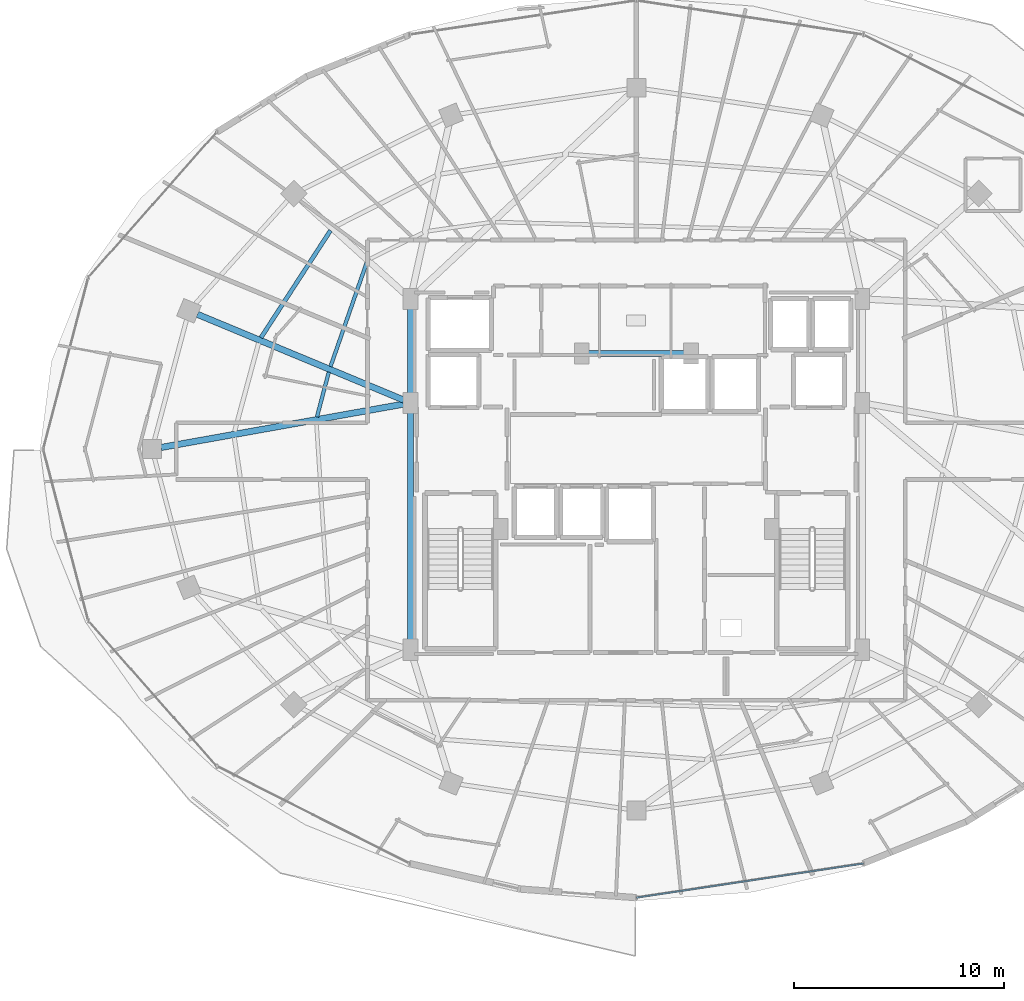
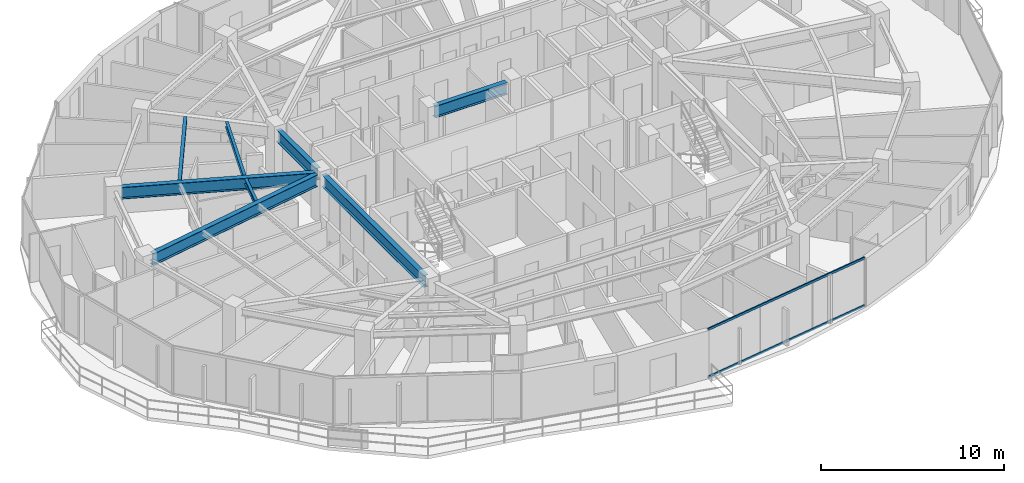
# One storey, part 10 of 33: 8 beams, 2 members, 1 element without a shape of its own.
"""IFC4 building model written with IfcOpenShell, lengths in metres."""

from ifc_helpers import new_model, si_unit, direction, frame, origin, origin_2d, place, context, subcontext, project, spatial, hollow_rectangle, i_section, extrude, material, material_profile, profile_set, type_object, element, aggregate, save


model = new_model("IFC4")

# Units and contexts
model_context = context("Model", 3, precision=1e-05, world=origin(), true_north=direction((0.0, 1.0)))
body_context = subcontext(model_context, "Body", "Model", "MODEL_VIEW")
ifc_project = project(units=[si_unit("LENGTHUNIT", "METRE"), si_unit("AREAUNIT", "SQUARE_METRE"), si_unit("VOLUMEUNIT", "CUBIC_METRE"), si_unit("PLANEANGLEUNIT", "RADIAN"), si_unit("MASSUNIT", "GRAM", prefix="KILO")], contexts=[model_context])

# Site, building, storey
site_placement = place(None, origin())
site = spatial("IfcSite", under=ifc_project, at=site_placement, CompositionType="ELEMENT")
building_placement = place(site_placement, origin())
building = spatial("IfcBuilding", under=site, at=building_placement, Name="Vorneva Point Tower", CompositionType="ELEMENT")
storey_placement = place(building_placement, frame((0.0, 0.0, 221.39990234375)))
storey = spatial("IfcBuildingStorey", under=building, at=storey_placement, Name="L60", CompositionType="ELEMENT", Elevation=221.39990234375)

# Beams
ifc_material_1 = material(Name="Steel S355", Category="steel")
ifc_material_profile_1 = material_profile(ifc_material_1, i_section(OverallWidth=0.300048828125, OverallDepth=0.7880859375, WebThickness=0.014404296875, FlangeThickness=0.02197265625, at=origin_2d()), Name="80Sh1")
ifc_profile_set_1 = profile_set([ifc_material_profile_1], Name="Steel S355")
beam_type_1 = type_object("IfcBeamType", Name="BM-GRD-80Sh1", PredefinedType="USERDEFINED", material=ifc_profile_set_1)
beam_1_placement = place(storey_placement, frame((17.109130859375, 32.4140625, 2.80615234375), z_axis=(0.923445067159, -0.383730645035, 0.0), x_axis=(0.383730645035, 0.923445067159, 0.0)))
element("IfcBeam", 1, at=beam_1_placement, inside=storey, type_object=beam_type_1, Name="L60 Radial Primary Girder 08", ObjectType="GIRDER", PredefinedType="USERDEFINED", context=body_context, shape_type="SweptSolid", body=[
    extrude(i_section(OverallWidth=0.300048828125, OverallDepth=0.7880859375, WebThickness=0.014404296875, FlangeThickness=0.02197265625, at=origin_2d()), origin(), (0.0, 0.0, 1.0), 10.6416015625),
])
beam_2_placement = place(storey_placement, frame((15.381103515625, 26.0771484375, 2.80615234375), z_axis=(0.984378602255, 0.176064668298, 0.0), x_axis=(-0.176064668298, 0.984378602255, 0.0)))
element("IfcBeam", 2, at=beam_2_placement, inside=storey, type_object=beam_type_1, Name="L60 Radial Primary Girder 09", ObjectType="GIRDER", PredefinedType="USERDEFINED", context=body_context, shape_type="SweptSolid", body=[
    extrude(i_section(OverallWidth=0.300048828125, OverallDepth=0.7880859375, WebThickness=0.014404296875, FlangeThickness=0.02197265625, at=origin_2d()), origin(), (0.0, 0.0, 1.0), 11.71728515625),
])
beam_3_placement = place(storey_placement, frame((27.25, 16.77001953125, 2.80615234375), z_axis=(0.0, 1.0, 0.0), x_axis=(-1.0, 0.0, 0.0)))
element("IfcBeam", 3, at=beam_3_placement, inside=storey, type_object=beam_type_1, Name="L60 Core Tie Girder CT1", ObjectType="GIRDER", PredefinedType="USERDEFINED", context=body_context, shape_type="SweptSolid", body=[
    extrude(i_section(OverallWidth=0.300048828125, OverallDepth=0.7880859375, WebThickness=0.014404296875, FlangeThickness=0.02197265625, at=origin_2d()), origin(), (0.0, 0.0, 1.0), 11.10986328125),
])
beam_4_placement = place(storey_placement, frame((27.25, 28.52001953125, 2.80615234375), z_axis=(0.0, 1.0, 0.0), x_axis=(-1.0, 0.0, 0.0)))
element("IfcBeam", 4, at=beam_4_placement, inside=storey, type_object=beam_type_1, Name="L60 Core Tie Girder CT2", ObjectType="GIRDER", PredefinedType="USERDEFINED", context=body_context, shape_type="SweptSolid", body=[
    extrude(i_section(OverallWidth=0.300048828125, OverallDepth=0.7880859375, WebThickness=0.014404296875, FlangeThickness=0.02197265625, at=origin_2d()), origin(), (0.0, 0.0, 1.0), 4.31005859375),
])
beam_5_placement = place(storey_placement, frame((35.719970703125, 30.550048828125, 2.80615234375), z_axis=(1.0, 0.0, 0.0), x_axis=(0.0, 1.0, 0.0)))
element("IfcBeam", 5, at=beam_5_placement, inside=storey, type_object=beam_type_1, Name="L60 Core Tie Girder CT8", ObjectType="GIRDER", PredefinedType="USERDEFINED", context=body_context, shape_type="SweptSolid", body=[
    extrude(i_section(OverallWidth=0.300048828125, OverallDepth=0.7880859375, WebThickness=0.014404296875, FlangeThickness=0.02197265625, at=origin_2d()), origin(), (0.0, 0.0, 1.0), 4.56005859375),
])
ifc_material_profile_2 = material_profile(ifc_material_1, i_section(OverallWidth=0.199951171875, OverallDepth=0.291015625, WebThickness=0.008056640625, FlangeThickness=0.010986328125, at=origin_2d()), Name="30Sh1")
ifc_profile_set_2 = profile_set([ifc_material_profile_2], Name="Steel S355")
beam_type_2 = type_object("IfcBeamType", Name="BM-SEC-30Sh1", PredefinedType="BEAM", material=ifc_profile_set_2)
beam_6_placement = place(storey_placement, frame((23.4423828125, 36.405517578125, 3.0546875), z_axis=(-0.544354543714, -0.83885525017, 0.0), x_axis=(0.83885525017, -0.544354543714, 0.0)))
element("IfcBeam", 6, at=beam_6_placement, inside=storey, type_object=beam_type_2, Name="L60 Secondary Floor Beam 1.07", PredefinedType="BEAM", context=body_context, shape_type="SweptSolid", body=[
    extrude(i_section(OverallWidth=0.199951171875, OverallDepth=0.291015625, WebThickness=0.008056640625, FlangeThickness=0.010986328125, at=origin_2d()), origin(), (0.0, 0.0, 1.0), 6.080810546875),
])
ifc_material_profile_3 = material_profile(ifc_material_1, i_section(OverallWidth=0.174072265625, OverallDepth=0.345947265625, WebThickness=0.006103515625, FlangeThickness=0.009033203125, at=origin_2d()), Name="35B1")
ifc_profile_set_3 = profile_set([ifc_material_profile_3], Name="Steel S355")
beam_type_3 = type_object("IfcBeamType", Name="BM-SEC-35B1", PredefinedType="BEAM", material=ifc_profile_set_3)
beam_7_placement = place(storey_placement, frame((25.16259765625, 34.8642578125, 3.027099609375), z_axis=(-0.329040775193, -0.944315714293, 0.0), x_axis=(0.944315714293, -0.329040775193, 0.0)))
element("IfcBeam", 7, at=beam_7_placement, inside=storey, type_object=beam_type_3, Name="L60 Secondary Floor Beam 2.07", PredefinedType="BEAM", context=body_context, shape_type="SweptSolid", body=[
    extrude(i_section(OverallWidth=0.174072265625, OverallDepth=0.345947265625, WebThickness=0.006103515625, FlangeThickness=0.009033203125, at=origin_2d()), origin(), (0.0, 0.0, 1.0), 5.224365234375),
])
beam_8_placement = place(storey_placement, frame((23.363037109375, 29.667236328125, 3.027099609375), z_axis=(-0.255537260645, -0.966799207913, 0.0), x_axis=(0.966799207913, -0.255537260645, 0.0)))
element("IfcBeam", 8, at=beam_8_placement, inside=storey, type_object=beam_type_3, Name="L60 Secondary Floor Beam 2.08", PredefinedType="BEAM", context=body_context, shape_type="SweptSolid", body=[
    extrude(i_section(OverallWidth=0.174072265625, OverallDepth=0.345947265625, WebThickness=0.006103515625, FlangeThickness=0.009033203125, at=origin_2d()), origin(), (0.0, 0.0, 1.0), 2.2099609375),
])

# Curtain wall, members
ifc_material_2 = material(Name="Pale anodised aluminium", Category="aluminium")
curtain_wall_type = type_object("IfcCurtainWallType", Name="CW-RES-SYS", PredefinedType="NOTDEFINED", material=ifc_material_2)
curtain_wall_placement = place(storey_placement, origin())
curtain_wall = element("IfcCurtainWall", 9, at=curtain_wall_placement, inside=storey, type_object=curtain_wall_type, Name="L60 Unitised Curtain Wall CW-L60-R03", PredefinedType="NOTDEFINED")
ifc_material_profile_4 = material_profile(ifc_material_2, hollow_rectangle(XDim=0.074951171875, YDim=0.14990234375, WallThickness=0.00390625, at=origin_2d()), Name="AL-TRN 150x75x4")
ifc_profile_set_4 = profile_set([ifc_material_profile_4], Name="Pale anodised aluminium")
member_type = type_object("IfcMemberType", Name="CW-TRN-150", PredefinedType="USERDEFINED", material=ifc_profile_set_4)
member_1_placement = place(storey_placement, frame((38.0, 4.64990234375, 0.02001953125), z_axis=(0.988872333273, 0.148766624239, 0.0), x_axis=(-0.148766624239, 0.988872333273, 0.0)))
member_1 = element("IfcMember", 10, at=member_1_placement, type_object=member_type, Name="CW-L60-R03 Transom 01.1", ObjectType="TRANSOM", PredefinedType="USERDEFINED", context=body_context, shape_type="SweptSolid", body=[
    extrude(hollow_rectangle(XDim=0.074951171875, YDim=0.14990234375, WallThickness=0.00390625, at=origin_2d()), origin(), (0.0, 0.0, 1.0), 10.9248046875),
])
member_2_placement = place(storey_placement, frame((38.0, 4.64990234375, 3.18017578125), z_axis=(0.988872333273, 0.148766624239, 0.0), x_axis=(-0.148766624239, 0.988872333273, 0.0)))
member_2 = element("IfcMember", 11, at=member_2_placement, type_object=member_type, Name="CW-L60-R03 Transom 01.2", ObjectType="TRANSOM", PredefinedType="USERDEFINED", context=body_context, shape_type="SweptSolid", body=[
    extrude(hollow_rectangle(XDim=0.074951171875, YDim=0.14990234375, WallThickness=0.00390625, at=origin_2d()), origin(), (0.0, 0.0, 1.0), 10.9248046875),
])
aggregate(curtain_wall, [member_1, member_2])

save(model, "model.ifc")
